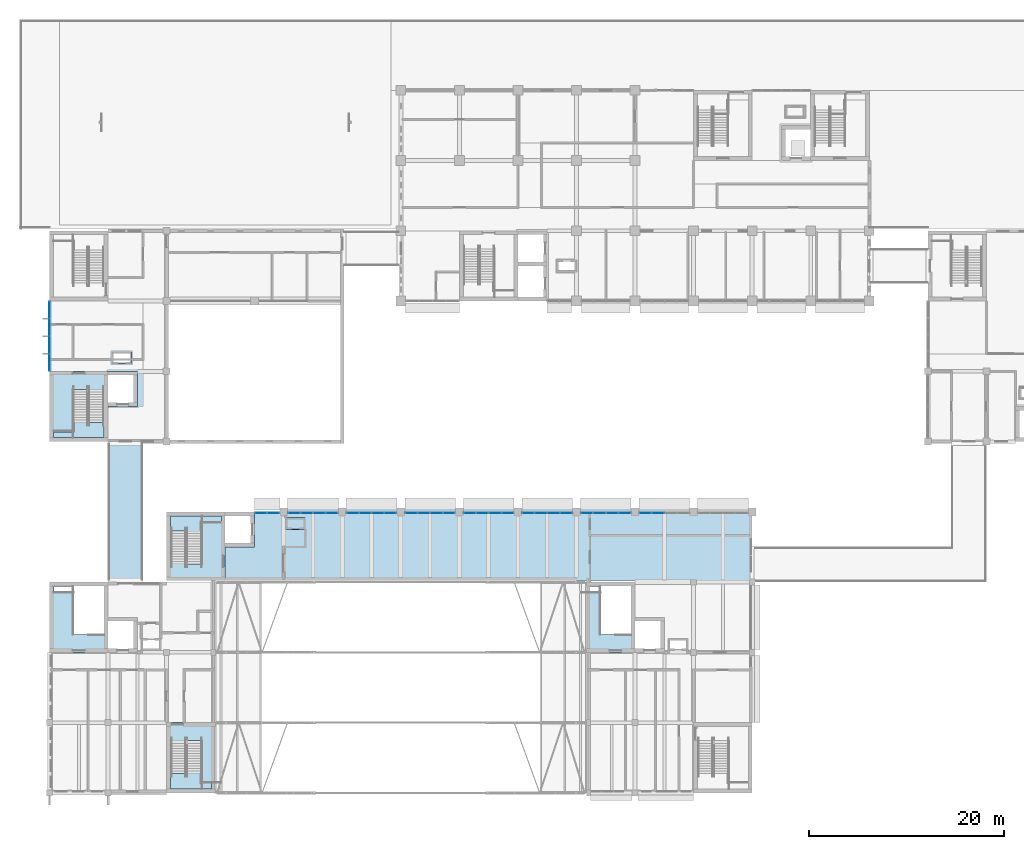
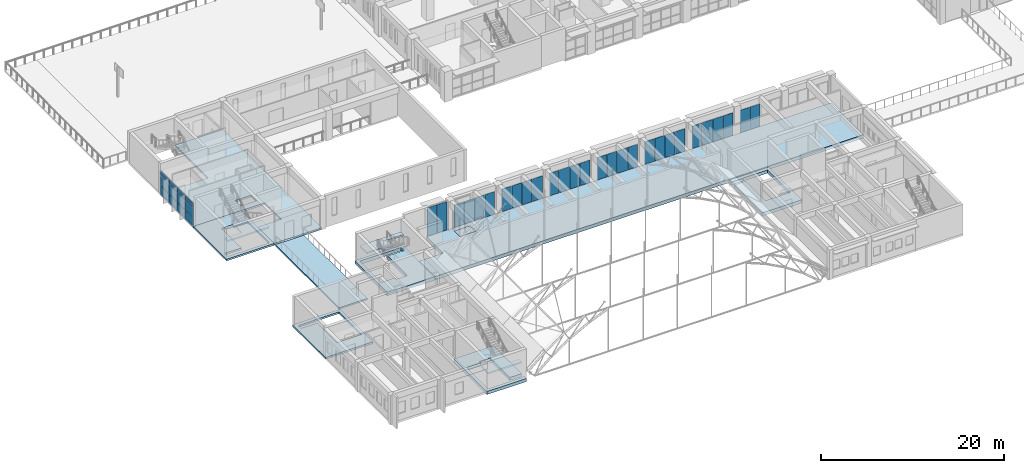
# One storey, part 60 of 101: 40 plates, 12 slabs, 12 elements without a shape of their own.
"""IFC4 building model written with IfcOpenShell, lengths in metres."""

from ifc_helpers import new_model, si_unit, direction, frame, origin, origin_2d, place, context, subcontext, project, spatial, polyline, rectangle, outline, extrude, material, layer, layer_set, type_object, element, aggregate, save


model = new_model("IFC4")

# Units and contexts
model_context = context("Model", 3, precision=1e-05, world=origin(), true_north=direction((0.0, 1.0)))
body_context = subcontext(model_context, "Body", "Model", "MODEL_VIEW")
ifc_project = project(units=[si_unit("LENGTHUNIT", "METRE"), si_unit("AREAUNIT", "SQUARE_METRE"), si_unit("VOLUMEUNIT", "CUBIC_METRE"), si_unit("PLANEANGLEUNIT", "RADIAN"), si_unit("MASSUNIT", "GRAM", prefix="KILO")], contexts=[model_context])

# Site, building, storey
site_placement = place(None, origin())
site = spatial("IfcSite", under=ifc_project, at=site_placement, CompositionType="ELEMENT")
building_placement = place(site_placement, origin())
building = spatial("IfcBuilding", under=site, at=building_placement, Name="Laocheng Heights Fire and Rescue Headquarters", CompositionType="ELEMENT")
storey_placement = place(building_placement, frame((0.0, 0.0, 8.39990234375)))
storey = spatial("IfcBuildingStorey", under=building, at=storey_placement, Name="L02", CompositionType="ELEMENT", Elevation=8.39990234375)

# Curtain wall, plates
ifc_material_1 = material(Name="Dark anodised aluminium unitised curtain wall, low-e double glazing", Category="aluminium")
curtain_wall_type_1 = type_object("IfcCurtainWallType", Name="CW 7200 x 3100 FOYER GLAZING", PredefinedType="NOTDEFINED", material=ifc_material_1)
curtain_wall_1_placement = place(storey_placement, origin())
curtain_wall_1 = element("IfcCurtainWall", 1, at=curtain_wall_1_placement, inside=storey, type_object=curtain_wall_type_1, Name="X3-V FOYER WEST L02", PredefinedType="NOTDEFINED")
ifc_material_2 = material(Name="Laminated safety glass, low-e double glazed unit", Category="glass")
ifc_layer_1 = layer(ifc_material_2, 0.0400390625)
ifc_layer_set_1 = layer_set([ifc_layer_1], Name="Laminated safety glass, low-e double glazed unit")
plate_type_1 = type_object("IfcPlateType", Name="CW LAMINATED SAFETY PANEL 40 V", PredefinedType="CURTAIN_PANEL", material=ifc_layer_set_1)
plate_1_placement = place(storey_placement, frame((0.0, 44.114990234375, 0.050048828125), z_axis=(0.0, 0.0, 1.0), x_axis=(0.0, 1.0, 0.0)))
plate_1 = element("IfcPlate", 2, at=plate_1_placement, type_object=plate_type_1, Name="X3-V panel 1.1", PredefinedType="CURTAIN_PANEL", context=body_context, shape_type="SweptSolid", body=[
    extrude(rectangle(XDim=1.7099609375, YDim=0.0400390625, at=origin_2d()), origin(), (0.0, 0.0, 1.0), 1.02490234375),
])
plate_2_placement = place(storey_placement, frame((0.0, 45.89990234375, 0.050048828125), z_axis=(0.0, 0.0, 1.0), x_axis=(0.0, 1.0, 0.0)))
plate_2 = element("IfcPlate", 3, at=plate_2_placement, type_object=plate_type_1, Name="X3-V panel 2.1", PredefinedType="CURTAIN_PANEL", context=body_context, shape_type="SweptSolid", body=[
    extrude(rectangle(XDim=1.739990234375, YDim=0.0400390625, at=origin_2d()), origin(), (0.0, 0.0, 1.0), 1.02490234375),
])
plate_3_placement = place(storey_placement, frame((0.0, 47.699951171875, 0.050048828125), z_axis=(0.0, 0.0, 1.0), x_axis=(0.0, 1.0, 0.0)))
plate_3 = element("IfcPlate", 4, at=plate_3_placement, type_object=plate_type_1, Name="X3-V panel 3.1", PredefinedType="CURTAIN_PANEL", context=body_context, shape_type="SweptSolid", body=[
    extrude(rectangle(XDim=1.739990234375, YDim=0.0400390625, at=origin_2d()), origin(), (0.0, 0.0, 1.0), 1.02490234375),
])
plate_4_placement = place(storey_placement, frame((0.0, 49.485107421875, 0.050048828125), z_axis=(0.0, 0.0, 1.0), x_axis=(0.0, 1.0, 0.0)))
plate_4 = element("IfcPlate", 5, at=plate_4_placement, type_object=plate_type_1, Name="X3-V panel 4.1", PredefinedType="CURTAIN_PANEL", context=body_context, shape_type="SweptSolid", body=[
    extrude(rectangle(XDim=1.7099609375, YDim=0.0400390625, at=origin_2d()), origin(), (0.0, 0.0, 1.0), 1.02490234375),
])

ifc_material_3 = material(Name="Aluminium unitised curtain wall, low-e double glazing", Category="aluminium")
curtain_wall_type_2 = type_object("IfcCurtainWallType", Name="CW 2600 x 4000 GALLERY UNIT", PredefinedType="NOTDEFINED", material=ifc_material_3)
curtain_wall_2_placement = place(storey_placement, origin())
curtain_wall_2 = element("IfcCurtainWall", 6, at=curtain_wall_2_placement, inside=storey, type_object=curtain_wall_type_2, Name="Gallery north glazing L02", PredefinedType="NOTDEFINED")
ifc_material_4 = material(Name="Aluminium shadow-box panel, insulated and back-painted", Category="aluminium")
ifc_layer_2 = layer(ifc_material_4, 0.06005859375)
ifc_layer_set_2 = layer_set([ifc_layer_2], Name="Aluminium shadow-box panel, insulated and back-painted")
plate_type_2 = type_object("IfcPlateType", Name="CW SHADOW BOX PANEL 60", PredefinedType="CURTAIN_PANEL", material=ifc_layer_set_2)
plate_5_placement = place(storey_placement, frame((21.6650390625, 28.699951171875, 0.10009765625), z_axis=(0.0, 0.0, 1.0), x_axis=(1.0, 0.0, 0.0)))
plate_5 = element("IfcPlate", 7, at=plate_5_placement, type_object=plate_type_2, Name="X3-E panel 1.1", PredefinedType="CURTAIN_PANEL", context=body_context, shape_type="SweptSolid", body=[
    extrude(rectangle(XDim=1.2099609375, YDim=0.06005859375, at=origin_2d()), origin(), (0.0, 0.0, 1.0), 3.800048828125),
])
plate_6_placement = place(storey_placement, frame((22.93505859375, 28.699951171875, 0.10009765625), z_axis=(0.0, 0.0, 1.0), x_axis=(1.0, 0.0, 0.0)))
plate_6 = element("IfcPlate", 8, at=plate_6_placement, type_object=plate_type_2, Name="X3-E panel 2.1", PredefinedType="CURTAIN_PANEL", context=body_context, shape_type="SweptSolid", body=[
    extrude(rectangle(XDim=1.2099609375, YDim=0.06005859375, at=origin_2d()), origin(), (0.0, 0.0, 1.0), 3.800048828125),
])
aggregate(curtain_wall_2, [plate_5, plate_6])

ifc_material_5 = material(Name="Aluminium unitised curtain wall, low-e double glazing", Category="aluminium")
curtain_wall_type_3 = type_object("IfcCurtainWallType", Name="CW 5200 x 3200 GALLERY UNIT", PredefinedType="NOTDEFINED", material=ifc_material_5)
curtain_wall_3_placement = place(storey_placement, origin())
curtain_wall_3 = element("IfcCurtainWall", 9, at=curtain_wall_3_placement, inside=storey, type_object=curtain_wall_type_3, Name="Gallery north glazing L02", PredefinedType="NOTDEFINED")
plate_7_placement = place(storey_placement, frame((25.06494140625, 28.699951171875, 0.10009765625), z_axis=(0.0, 0.0, 1.0), x_axis=(1.0, 0.0, 0.0)))
plate_7 = element("IfcPlate", 10, at=plate_7_placement, type_object=plate_type_2, Name="X4-E panel 1.1", PredefinedType="CURTAIN_PANEL", context=body_context, shape_type="SweptSolid", body=[
    extrude(rectangle(XDim=1.2099609375, YDim=0.06005859375, at=origin_2d()), origin(), (0.0, 0.0, 1.0), 3.0),
])
plate_8_placement = place(storey_placement, frame((26.35009765625, 28.699951171875, 0.10009765625), z_axis=(0.0, 0.0, 1.0), x_axis=(1.0, 0.0, 0.0)))
plate_8 = element("IfcPlate", 11, at=plate_8_placement, type_object=plate_type_2, Name="X4-E panel 2.1", PredefinedType="CURTAIN_PANEL", context=body_context, shape_type="SweptSolid", body=[
    extrude(rectangle(XDim=1.239990234375, YDim=0.06005859375, at=origin_2d()), origin(), (0.0, 0.0, 1.0), 3.0),
])
plate_9_placement = place(storey_placement, frame((27.64990234375, 28.699951171875, 0.10009765625), z_axis=(0.0, 0.0, 1.0), x_axis=(1.0, 0.0, 0.0)))
plate_9 = element("IfcPlate", 12, at=plate_9_placement, type_object=plate_type_2, Name="X4-E panel 3.1", PredefinedType="CURTAIN_PANEL", context=body_context, shape_type="SweptSolid", body=[
    extrude(rectangle(XDim=1.239990234375, YDim=0.06005859375, at=origin_2d()), origin(), (0.0, 0.0, 1.0), 3.0),
])
plate_10_placement = place(storey_placement, frame((28.93505859375, 28.699951171875, 0.10009765625), z_axis=(0.0, 0.0, 1.0), x_axis=(1.0, 0.0, 0.0)))
plate_10 = element("IfcPlate", 13, at=plate_10_placement, type_object=plate_type_2, Name="X4-E panel 4.1", PredefinedType="CURTAIN_PANEL", context=body_context, shape_type="SweptSolid", body=[
    extrude(rectangle(XDim=1.2099609375, YDim=0.06005859375, at=origin_2d()), origin(), (0.0, 0.0, 1.0), 3.0),
])
aggregate(curtain_wall_3, [plate_7, plate_8, plate_9, plate_10])

curtain_wall_4_placement = place(storey_placement, origin())
curtain_wall_4 = element("IfcCurtainWall", 14, at=curtain_wall_4_placement, inside=storey, type_object=curtain_wall_type_3, Name="Gallery north glazing L02", PredefinedType="NOTDEFINED")
plate_11_placement = place(storey_placement, frame((31.06494140625, 28.699951171875, 0.10009765625), z_axis=(0.0, 0.0, 1.0), x_axis=(1.0, 0.0, 0.0)))
plate_11 = element("IfcPlate", 15, at=plate_11_placement, type_object=plate_type_2, Name="X4-E panel 1.1", PredefinedType="CURTAIN_PANEL", context=body_context, shape_type="SweptSolid", body=[
    extrude(rectangle(XDim=1.2099609375, YDim=0.06005859375, at=origin_2d()), origin(), (0.0, 0.0, 1.0), 3.0),
])
plate_12_placement = place(storey_placement, frame((32.35009765625, 28.699951171875, 0.10009765625), z_axis=(0.0, 0.0, 1.0), x_axis=(1.0, 0.0, 0.0)))
plate_12 = element("IfcPlate", 16, at=plate_12_placement, type_object=plate_type_2, Name="X4-E panel 2.1", PredefinedType="CURTAIN_PANEL", context=body_context, shape_type="SweptSolid", body=[
    extrude(rectangle(XDim=1.239990234375, YDim=0.06005859375, at=origin_2d()), origin(), (0.0, 0.0, 1.0), 3.0),
])
plate_13_placement = place(storey_placement, frame((33.64990234375, 28.699951171875, 0.10009765625), z_axis=(0.0, 0.0, 1.0), x_axis=(1.0, 0.0, 0.0)))
plate_13 = element("IfcPlate", 17, at=plate_13_placement, type_object=plate_type_2, Name="X4-E panel 3.1", PredefinedType="CURTAIN_PANEL", context=body_context, shape_type="SweptSolid", body=[
    extrude(rectangle(XDim=1.239990234375, YDim=0.06005859375, at=origin_2d()), origin(), (0.0, 0.0, 1.0), 3.0),
])
plate_14_placement = place(storey_placement, frame((34.93505859375, 28.699951171875, 0.10009765625), z_axis=(0.0, 0.0, 1.0), x_axis=(1.0, 0.0, 0.0)))
plate_14 = element("IfcPlate", 18, at=plate_14_placement, type_object=plate_type_2, Name="X4-E panel 4.1", PredefinedType="CURTAIN_PANEL", context=body_context, shape_type="SweptSolid", body=[
    extrude(rectangle(XDim=1.2099609375, YDim=0.06005859375, at=origin_2d()), origin(), (0.0, 0.0, 1.0), 3.0),
])
aggregate(curtain_wall_4, [plate_11, plate_12, plate_13, plate_14])

curtain_wall_5_placement = place(storey_placement, origin())
curtain_wall_5 = element("IfcCurtainWall", 19, at=curtain_wall_5_placement, inside=storey, type_object=curtain_wall_type_3, Name="Gallery north glazing L02", PredefinedType="NOTDEFINED")
plate_15_placement = place(storey_placement, frame((37.06494140625, 28.699951171875, 0.10009765625), z_axis=(0.0, 0.0, 1.0), x_axis=(1.0, 0.0, 0.0)))
plate_15 = element("IfcPlate", 20, at=plate_15_placement, type_object=plate_type_2, Name="X4-E panel 1.1", PredefinedType="CURTAIN_PANEL", context=body_context, shape_type="SweptSolid", body=[
    extrude(rectangle(XDim=1.2099609375, YDim=0.06005859375, at=origin_2d()), origin(), (0.0, 0.0, 1.0), 3.0),
])
plate_16_placement = place(storey_placement, frame((38.35009765625, 28.699951171875, 0.10009765625), z_axis=(0.0, 0.0, 1.0), x_axis=(1.0, 0.0, 0.0)))
plate_16 = element("IfcPlate", 21, at=plate_16_placement, type_object=plate_type_2, Name="X4-E panel 2.1", PredefinedType="CURTAIN_PANEL", context=body_context, shape_type="SweptSolid", body=[
    extrude(rectangle(XDim=1.239990234375, YDim=0.06005859375, at=origin_2d()), origin(), (0.0, 0.0, 1.0), 3.0),
])
plate_17_placement = place(storey_placement, frame((39.64990234375, 28.699951171875, 0.10009765625), z_axis=(0.0, 0.0, 1.0), x_axis=(1.0, 0.0, 0.0)))
plate_17 = element("IfcPlate", 22, at=plate_17_placement, type_object=plate_type_2, Name="X4-E panel 3.1", PredefinedType="CURTAIN_PANEL", context=body_context, shape_type="SweptSolid", body=[
    extrude(rectangle(XDim=1.239990234375, YDim=0.06005859375, at=origin_2d()), origin(), (0.0, 0.0, 1.0), 3.0),
])
plate_18_placement = place(storey_placement, frame((40.93505859375, 28.699951171875, 0.10009765625), z_axis=(0.0, 0.0, 1.0), x_axis=(1.0, 0.0, 0.0)))
plate_18 = element("IfcPlate", 23, at=plate_18_placement, type_object=plate_type_2, Name="X4-E panel 4.1", PredefinedType="CURTAIN_PANEL", context=body_context, shape_type="SweptSolid", body=[
    extrude(rectangle(XDim=1.2099609375, YDim=0.06005859375, at=origin_2d()), origin(), (0.0, 0.0, 1.0), 3.0),
])
aggregate(curtain_wall_5, [plate_15, plate_16, plate_17, plate_18])

curtain_wall_6_placement = place(storey_placement, origin())
curtain_wall_6 = element("IfcCurtainWall", 24, at=curtain_wall_6_placement, inside=storey, type_object=curtain_wall_type_3, Name="Gallery north glazing L02", PredefinedType="NOTDEFINED")
plate_19_placement = place(storey_placement, frame((43.06494140625, 28.699951171875, 0.10009765625), z_axis=(0.0, 0.0, 1.0), x_axis=(1.0, 0.0, 0.0)))
plate_19 = element("IfcPlate", 25, at=plate_19_placement, type_object=plate_type_2, Name="X4-E panel 1.1", PredefinedType="CURTAIN_PANEL", context=body_context, shape_type="SweptSolid", body=[
    extrude(rectangle(XDim=1.2099609375, YDim=0.06005859375, at=origin_2d()), origin(), (0.0, 0.0, 1.0), 3.0),
])
plate_20_placement = place(storey_placement, frame((44.35009765625, 28.699951171875, 0.10009765625), z_axis=(0.0, 0.0, 1.0), x_axis=(1.0, 0.0, 0.0)))
plate_20 = element("IfcPlate", 26, at=plate_20_placement, type_object=plate_type_2, Name="X4-E panel 2.1", PredefinedType="CURTAIN_PANEL", context=body_context, shape_type="SweptSolid", body=[
    extrude(rectangle(XDim=1.239990234375, YDim=0.06005859375, at=origin_2d()), origin(), (0.0, 0.0, 1.0), 3.0),
])
plate_21_placement = place(storey_placement, frame((45.64990234375, 28.699951171875, 0.10009765625), z_axis=(0.0, 0.0, 1.0), x_axis=(1.0, 0.0, 0.0)))
plate_21 = element("IfcPlate", 27, at=plate_21_placement, type_object=plate_type_2, Name="X4-E panel 3.1", PredefinedType="CURTAIN_PANEL", context=body_context, shape_type="SweptSolid", body=[
    extrude(rectangle(XDim=1.239990234375, YDim=0.06005859375, at=origin_2d()), origin(), (0.0, 0.0, 1.0), 3.0),
])
plate_22_placement = place(storey_placement, frame((46.93505859375, 28.699951171875, 0.10009765625), z_axis=(0.0, 0.0, 1.0), x_axis=(1.0, 0.0, 0.0)))
plate_22 = element("IfcPlate", 28, at=plate_22_placement, type_object=plate_type_2, Name="X4-E panel 4.1", PredefinedType="CURTAIN_PANEL", context=body_context, shape_type="SweptSolid", body=[
    extrude(rectangle(XDim=1.2099609375, YDim=0.06005859375, at=origin_2d()), origin(), (0.0, 0.0, 1.0), 3.0),
])
aggregate(curtain_wall_6, [plate_19, plate_20, plate_21, plate_22])

curtain_wall_7_placement = place(storey_placement, origin())
curtain_wall_7 = element("IfcCurtainWall", 29, at=curtain_wall_7_placement, inside=storey, type_object=curtain_wall_type_3, Name="Gallery north glazing L02", PredefinedType="NOTDEFINED")
plate_23_placement = place(storey_placement, frame((49.06494140625, 28.699951171875, 0.10009765625), z_axis=(0.0, 0.0, 1.0), x_axis=(1.0, 0.0, 0.0)))
plate_23 = element("IfcPlate", 30, at=plate_23_placement, type_object=plate_type_2, Name="X4-E panel 1.1", PredefinedType="CURTAIN_PANEL", context=body_context, shape_type="SweptSolid", body=[
    extrude(rectangle(XDim=1.2099609375, YDim=0.06005859375, at=origin_2d()), origin(), (0.0, 0.0, 1.0), 3.0),
])
plate_24_placement = place(storey_placement, frame((50.35009765625, 28.699951171875, 0.10009765625), z_axis=(0.0, 0.0, 1.0), x_axis=(1.0, 0.0, 0.0)))
plate_24 = element("IfcPlate", 31, at=plate_24_placement, type_object=plate_type_2, Name="X4-E panel 2.1", PredefinedType="CURTAIN_PANEL", context=body_context, shape_type="SweptSolid", body=[
    extrude(rectangle(XDim=1.239990234375, YDim=0.06005859375, at=origin_2d()), origin(), (0.0, 0.0, 1.0), 3.0),
])
plate_25_placement = place(storey_placement, frame((51.64990234375, 28.699951171875, 0.10009765625), z_axis=(0.0, 0.0, 1.0), x_axis=(1.0, 0.0, 0.0)))
plate_25 = element("IfcPlate", 32, at=plate_25_placement, type_object=plate_type_2, Name="X4-E panel 3.1", PredefinedType="CURTAIN_PANEL", context=body_context, shape_type="SweptSolid", body=[
    extrude(rectangle(XDim=1.239990234375, YDim=0.06005859375, at=origin_2d()), origin(), (0.0, 0.0, 1.0), 3.0),
])
plate_26_placement = place(storey_placement, frame((52.93505859375, 28.699951171875, 0.10009765625), z_axis=(0.0, 0.0, 1.0), x_axis=(1.0, 0.0, 0.0)))
plate_26 = element("IfcPlate", 33, at=plate_26_placement, type_object=plate_type_2, Name="X4-E panel 4.1", PredefinedType="CURTAIN_PANEL", context=body_context, shape_type="SweptSolid", body=[
    extrude(rectangle(XDim=1.2099609375, YDim=0.06005859375, at=origin_2d()), origin(), (0.0, 0.0, 1.0), 3.0),
])
aggregate(curtain_wall_7, [plate_23, plate_24, plate_25, plate_26])

curtain_wall_8_placement = place(storey_placement, origin())
curtain_wall_8 = element("IfcCurtainWall", 34, at=curtain_wall_8_placement, inside=storey, type_object=curtain_wall_type_3, Name="Gallery north glazing L02", PredefinedType="NOTDEFINED")
plate_27_placement = place(storey_placement, frame((55.06494140625, 28.699951171875, 0.10009765625), z_axis=(0.0, 0.0, 1.0), x_axis=(1.0, 0.0, 0.0)))
plate_27 = element("IfcPlate", 35, at=plate_27_placement, type_object=plate_type_2, Name="X4-E panel 1.1", PredefinedType="CURTAIN_PANEL", context=body_context, shape_type="SweptSolid", body=[
    extrude(rectangle(XDim=1.2099609375, YDim=0.06005859375, at=origin_2d()), origin(), (0.0, 0.0, 1.0), 3.0),
])
plate_28_placement = place(storey_placement, frame((56.35009765625, 28.699951171875, 0.10009765625), z_axis=(0.0, 0.0, 1.0), x_axis=(1.0, 0.0, 0.0)))
plate_28 = element("IfcPlate", 36, at=plate_28_placement, type_object=plate_type_2, Name="X4-E panel 2.1", PredefinedType="CURTAIN_PANEL", context=body_context, shape_type="SweptSolid", body=[
    extrude(rectangle(XDim=1.239990234375, YDim=0.06005859375, at=origin_2d()), origin(), (0.0, 0.0, 1.0), 3.0),
])
plate_29_placement = place(storey_placement, frame((57.64990234375, 28.699951171875, 0.10009765625), z_axis=(0.0, 0.0, 1.0), x_axis=(1.0, 0.0, 0.0)))
plate_29 = element("IfcPlate", 37, at=plate_29_placement, type_object=plate_type_2, Name="X4-E panel 3.1", PredefinedType="CURTAIN_PANEL", context=body_context, shape_type="SweptSolid", body=[
    extrude(rectangle(XDim=1.239990234375, YDim=0.06005859375, at=origin_2d()), origin(), (0.0, 0.0, 1.0), 3.0),
])
plate_30_placement = place(storey_placement, frame((58.93505859375, 28.699951171875, 0.10009765625), z_axis=(0.0, 0.0, 1.0), x_axis=(1.0, 0.0, 0.0)))
plate_30 = element("IfcPlate", 38, at=plate_30_placement, type_object=plate_type_2, Name="X4-E panel 4.1", PredefinedType="CURTAIN_PANEL", context=body_context, shape_type="SweptSolid", body=[
    extrude(rectangle(XDim=1.2099609375, YDim=0.06005859375, at=origin_2d()), origin(), (0.0, 0.0, 1.0), 3.0),
])
aggregate(curtain_wall_8, [plate_27, plate_28, plate_29, plate_30])

curtain_wall_9_placement = place(storey_placement, origin())
curtain_wall_9 = element("IfcCurtainWall", 39, at=curtain_wall_9_placement, inside=storey, type_object=curtain_wall_type_3, Name="Gallery north glazing L02", PredefinedType="NOTDEFINED")
plate_31_placement = place(storey_placement, frame((61.06494140625, 28.699951171875, 0.10009765625), z_axis=(0.0, 0.0, 1.0), x_axis=(1.0, 0.0, 0.0)))
plate_31 = element("IfcPlate", 40, at=plate_31_placement, type_object=plate_type_2, Name="X4-E panel 1.1", PredefinedType="CURTAIN_PANEL", context=body_context, shape_type="SweptSolid", body=[
    extrude(rectangle(XDim=1.2099609375, YDim=0.06005859375, at=origin_2d()), origin(), (0.0, 0.0, 1.0), 3.0),
])
plate_32_placement = place(storey_placement, frame((62.35009765625, 28.699951171875, 0.10009765625), z_axis=(0.0, 0.0, 1.0), x_axis=(1.0, 0.0, 0.0)))
plate_32 = element("IfcPlate", 41, at=plate_32_placement, type_object=plate_type_2, Name="X4-E panel 2.1", PredefinedType="CURTAIN_PANEL", context=body_context, shape_type="SweptSolid", body=[
    extrude(rectangle(XDim=1.239990234375, YDim=0.06005859375, at=origin_2d()), origin(), (0.0, 0.0, 1.0), 3.0),
])
aggregate(curtain_wall_9, [plate_31, plate_32])

# Plate
ifc_material_6 = material(Name="Low-e double glazed unit, laminated inner pane")
ifc_layer_3 = layer(ifc_material_6, 0.028076171875)
ifc_layer_set_3 = layer_set([ifc_layer_3], Name="Low-e double glazed unit, laminated inner pane")
plate_type_3 = type_object("IfcPlateType", Name="CW VISION PANEL 28 V", PredefinedType="CURTAIN_PANEL", material=ifc_layer_set_3)
plate_33_placement = place(storey_placement, frame((0.0, 44.114990234375, 1.125), z_axis=(0.0, 0.0, 1.0), x_axis=(0.0, 1.0, 0.0)))
plate_33 = element("IfcPlate", 42, at=plate_33_placement, type_object=plate_type_3, Name="X3-V panel 1.2", PredefinedType="CURTAIN_PANEL", context=body_context, shape_type="SweptSolid", body=[
    extrude(rectangle(XDim=1.7099609375, YDim=0.028076171875, at=origin_2d()), origin(), (0.0, 0.0, 1.0), 1.25),
])

plate_34_placement = place(storey_placement, frame((0.0, 44.114990234375, 2.425048828125), z_axis=(0.0, 0.0, 1.0), x_axis=(0.0, 1.0, 0.0)))
plate_34 = element("IfcPlate", 43, at=plate_34_placement, type_object=plate_type_3, Name="X3-V panel 1.3", PredefinedType="CURTAIN_PANEL", context=body_context, shape_type="SweptSolid", body=[
    extrude(rectangle(XDim=1.7099609375, YDim=0.028076171875, at=origin_2d()), origin(), (0.0, 0.0, 1.0), 0.625),
])

plate_35_placement = place(storey_placement, frame((0.0, 45.89990234375, 1.125), z_axis=(0.0, 0.0, 1.0), x_axis=(0.0, 1.0, 0.0)))
plate_35 = element("IfcPlate", 44, at=plate_35_placement, type_object=plate_type_3, Name="X3-V panel 2.2", PredefinedType="CURTAIN_PANEL", context=body_context, shape_type="SweptSolid", body=[
    extrude(rectangle(XDim=1.739990234375, YDim=0.028076171875, at=origin_2d()), origin(), (0.0, 0.0, 1.0), 1.25),
])

plate_36_placement = place(storey_placement, frame((0.0, 45.89990234375, 2.425048828125), z_axis=(0.0, 0.0, 1.0), x_axis=(0.0, 1.0, 0.0)))
plate_36 = element("IfcPlate", 45, at=plate_36_placement, type_object=plate_type_3, Name="X3-V panel 2.3", PredefinedType="CURTAIN_PANEL", context=body_context, shape_type="SweptSolid", body=[
    extrude(rectangle(XDim=1.739990234375, YDim=0.028076171875, at=origin_2d()), origin(), (0.0, 0.0, 1.0), 0.625),
])

plate_37_placement = place(storey_placement, frame((0.0, 47.699951171875, 1.125), z_axis=(0.0, 0.0, 1.0), x_axis=(0.0, 1.0, 0.0)))
plate_37 = element("IfcPlate", 46, at=plate_37_placement, type_object=plate_type_3, Name="X3-V panel 3.2", PredefinedType="CURTAIN_PANEL", context=body_context, shape_type="SweptSolid", body=[
    extrude(rectangle(XDim=1.739990234375, YDim=0.028076171875, at=origin_2d()), origin(), (0.0, 0.0, 1.0), 1.25),
])

plate_38_placement = place(storey_placement, frame((0.0, 47.699951171875, 2.425048828125), z_axis=(0.0, 0.0, 1.0), x_axis=(0.0, 1.0, 0.0)))
plate_38 = element("IfcPlate", 47, at=plate_38_placement, type_object=plate_type_3, Name="X3-V panel 3.3", PredefinedType="CURTAIN_PANEL", context=body_context, shape_type="SweptSolid", body=[
    extrude(rectangle(XDim=1.739990234375, YDim=0.028076171875, at=origin_2d()), origin(), (0.0, 0.0, 1.0), 0.625),
])

plate_39_placement = place(storey_placement, frame((0.0, 49.485107421875, 1.125), z_axis=(0.0, 0.0, 1.0), x_axis=(0.0, 1.0, 0.0)))
plate_39 = element("IfcPlate", 48, at=plate_39_placement, type_object=plate_type_3, Name="X3-V panel 4.2", PredefinedType="CURTAIN_PANEL", context=body_context, shape_type="SweptSolid", body=[
    extrude(rectangle(XDim=1.7099609375, YDim=0.028076171875, at=origin_2d()), origin(), (0.0, 0.0, 1.0), 1.25),
])

plate_40_placement = place(storey_placement, frame((0.0, 49.485107421875, 2.425048828125), z_axis=(0.0, 0.0, 1.0), x_axis=(0.0, 1.0, 0.0)))
plate_40 = element("IfcPlate", 49, at=plate_40_placement, type_object=plate_type_3, Name="X3-V panel 4.3", PredefinedType="CURTAIN_PANEL", context=body_context, shape_type="SweptSolid", body=[
    extrude(rectangle(XDim=1.7099609375, YDim=0.028076171875, at=origin_2d()), origin(), (0.0, 0.0, 1.0), 0.625),
])

aggregate(curtain_wall_1, [plate_1, plate_33, plate_34, plate_2, plate_35, plate_36, plate_3, plate_37, plate_38, plate_4, plate_39, plate_40])

# Slabs
ifc_material_7 = material(Name="Concrete C40", Category="concrete")
ifc_layer_4 = layer(ifc_material_7, 0.199951171875)
ifc_layer_set_4 = layer_set([ifc_layer_4], Name="Concrete C40")
slab_type_1 = type_object("IfcSlabType", Name="RC BRIDGE DECK 200", PredefinedType="FLOOR", material=ifc_layer_set_4)
slab_1_placement = place(storey_placement, frame((0.0, 0.0, -0.199951171875)))
element("IfcSlab", 50, at=slab_1_placement, inside=storey, type_object=slab_type_1, Name="Bridge B1 deck", PredefinedType="FLOOR", context=body_context, shape_type="SweptSolid", body=[
    extrude(outline(polyline([(9.60009765625, 21.85009765625), (9.60009765625, 35.75), (6.0, 35.75), (6.0, 21.85009765625), (9.60009765625, 21.85009765625)])), origin(), (0.0, 0.0, 1.0), 0.199951171875),
])
ifc_material_8 = material(Name="Concrete C40", Category="concrete")
ifc_layer_5 = layer(ifc_material_8, 0.25)
ifc_layer_set_5 = layer_set([ifc_layer_5], Name="Concrete C40")
slab_type_2 = type_object("IfcSlabType", Name="RC FLOOR SLAB 250 FOYER", PredefinedType="FLOOR", material=ifc_layer_set_5)
slab_2_placement = place(storey_placement, frame((0.0, 0.0, -0.25)))
element("IfcSlab", 51, at=slab_2_placement, inside=storey, type_object=slab_type_2, Name="Foyer floor L02", PredefinedType="FLOOR", context=body_context, shape_type="SweptSolid", body=[
    extrude(outline(polyline([(12.0, 57.60009765625), (6.0, 57.60009765625), (6.0, 50.39990234375), (0.0, 50.39990234375), (0.0, 43.199951171875), (9.0, 43.199951171875), (9.0, 39.60009765625), (6.0, 39.60009765625), (6.0, 36.0), (12.0, 36.0), (12.0, 57.60009765625)]), holes=[polyline([(8.39990234375, 44.0), (6.39990234375, 44.0), (6.39990234375, 45.199951171875), (8.39990234375, 45.199951171875), (8.39990234375, 44.0)])]), origin(), (0.0, 0.0, 1.0), 0.25),
])
ifc_material_9 = material(Name="Concrete C50", Category="concrete")
ifc_layer_6 = layer(ifc_material_9, 0.449951171875)
ifc_layer_set_6 = layer_set([ifc_layer_6], Name="Concrete C50")
slab_type_3 = type_object("IfcSlabType", Name="RC TRANSFER SLAB 450", PredefinedType="FLOOR", material=ifc_layer_set_6)
slab_3_placement = place(storey_placement, frame((0.0, 0.0, -0.449951171875)))
element("IfcSlab", 52, at=slab_3_placement, inside=storey, type_object=slab_type_3, Name="Transfer slab", PredefinedType="FLOOR", context=body_context, shape_type="SweptSolid", body=[
    extrude(outline(polyline([(72.0, 28.800048828125), (21.0, 28.800048828125), (21.0, 25.199951171875), (18.0, 25.199951171875), (18.0, 21.75), (72.0, 21.75), (72.0, 28.800048828125)]), holes=[polyline([(26.199951171875, 28.199951171875), (26.199951171875, 27.0), (24.199951171875, 27.0), (24.199951171875, 28.199951171875), (26.199951171875, 28.199951171875)])]), origin(), (0.0, 0.0, 1.0), 0.449951171875),
])
ifc_material_10 = material(Name="Concrete C30", Category="concrete")
ifc_layer_7 = layer(ifc_material_10, 0.449951171875)
ifc_layer_set_7 = layer_set([ifc_layer_7], Name="Concrete C30")
slab_type_4 = type_object("IfcSlabType", Name="RISER FLOOR SLAB 450", PredefinedType="FLOOR", material=ifc_layer_set_7)
slab_4_placement = place(storey_placement, frame((0.0, 0.0, -0.449951171875)))
element("IfcSlab", 53, at=slab_4_placement, inside=storey, type_object=slab_type_4, Name="Riser floor slab RG1", PredefinedType="FLOOR", context=body_context, shape_type="SweptSolid", body=[
    extrude(outline(polyline([(26.199951171875, 27.0), (26.199951171875, 28.199951171875), (24.199951171875, 28.199951171875), (24.199951171875, 27.0), (26.199951171875, 27.0)])), origin(), (0.0, 0.0, 1.0), 0.449951171875),
])
ifc_material_11 = material(Name="Concrete C40", Category="concrete")
ifc_layer_8 = layer(ifc_material_11, 0.25)
ifc_layer_set_8 = layer_set([ifc_layer_8], Name="Concrete C40")
slab_type_5 = type_object("IfcSlabType", Name="STAIR FLOOR LANDING 250", PredefinedType="LANDING", material=ifc_layer_set_8)
slab_5_placement = place(storey_placement, frame((0.0, 0.0, -0.25)))
element("IfcSlab", 54, at=slab_5_placement, inside=storey, type_object=slab_type_5, Name="Stair W1 floor landing L02", PredefinedType="LANDING", context=body_context, shape_type="SweptSolid", body=[
    extrude(outline(polyline([(0.0, 21.60009765625), (6.0, 21.60009765625), (6.0, 14.39990234375), (0.0, 14.39990234375), (0.0, 21.60009765625)]), holes=[polyline([(3.875, 16.25), (5.60009765625, 16.25), (5.60009765625, 21.199951171875), (3.875, 21.199951171875), (2.47509765625, 21.199951171875), (2.47509765625, 21.14990234375), (0.449951171875, 21.14990234375), (0.449951171875, 20.550048828125), (2.47509765625, 20.550048828125), (2.47509765625, 19.329833984375), (2.47509765625, 16.2529296875), (3.875, 16.2529296875), (3.875, 16.25)])]), origin(), (0.0, 0.0, 1.0), 0.25),
])

# Stair, slab
ifc_material_12 = material(Name="Concrete C40", Category="concrete")
stair_type = type_object("IfcStairType", Name="RC STAIR 1400 TWO FLIGHTS 28 RISERS OF 150 GOING 260", PredefinedType="HALF_TURN_STAIR", material=ifc_material_12)
stair_1_placement = place(storey_placement, origin())
stair_1 = element("IfcStair", 55, at=stair_1_placement, inside=storey, type_object=stair_type, Name="Stair P1 (L02 to L03)", PredefinedType="HALF_TURN_STAIR")
slab_6_placement = place(storey_placement, frame((0.0, 0.0, -0.25)))
slab_6 = element("IfcSlab", 56, at=slab_6_placement, type_object=slab_type_5, Name="Stair P1 floor landing L02", PredefinedType="LANDING", context=body_context, shape_type="SweptSolid", body=[
    extrude(outline(polyline([(0.0, 43.199951171875), (6.0, 43.199951171875), (6.0, 36.0), (0.0, 36.0), (0.0, 43.199951171875)]), holes=[polyline([(3.875, 41.0498046875), (3.875, 41.346923828125), (2.47509765625, 41.346923828125), (2.47509765625, 38.270263671875), (2.47509765625, 37.050048828125), (0.449951171875, 37.050048828125), (0.449951171875, 37.0), (0.39990234375, 37.0), (0.39990234375, 36.39990234375), (2.47509765625, 36.39990234375), (3.875, 36.39990234375), (5.60009765625, 36.39990234375), (5.60009765625, 37.972900390625), (5.60009765625, 41.0498046875), (3.875, 41.0498046875)])]), origin(), (0.0, 0.0, 1.0), 0.25),
])

stair_2_placement = place(storey_placement, origin())
stair_2 = element("IfcStair", 57, at=stair_2_placement, inside=storey, type_object=stair_type, Name="Stair W2 (L02 to L03)", PredefinedType="HALF_TURN_STAIR")
ifc_material_13 = material(Name="Concrete C40", Category="concrete")
ifc_layer_9 = layer(ifc_material_13, 0.419921875)
ifc_layer_set_9 = layer_set([ifc_layer_9], Name="Concrete C40")
slab_type_6 = type_object("IfcSlabType", Name="STAIR FLOOR LANDING 420", PredefinedType="LANDING", material=ifc_layer_set_9)
slab_7_placement = place(storey_placement, frame((0.0, 0.0, -0.419921875)))
slab_7 = element("IfcSlab", 58, at=slab_7_placement, type_object=slab_type_6, Name="Stair W2 floor landing L02", PredefinedType="LANDING", context=body_context, shape_type="SweptSolid", body=[
    extrude(outline(polyline([(12.0, 7.199951171875), (17.0, 7.199951171875), (17.0, 1.050048828125), (15.52490234375, 1.050048828125), (15.52490234375, 2.270263671875), (15.52490234375, 5.346923828125), (14.125, 5.346923828125), (14.125, 5.0498046875), (12.39990234375, 5.0498046875), (12.39990234375, 1.972900390625), (12.39990234375, 0.39990234375), (14.125, 0.39990234375), (15.52490234375, 0.39990234375), (16.60009765625, 0.39990234375), (16.60009765625, 0.449951171875), (17.0, 0.449951171875), (17.0, 0.0), (12.0, 0.0), (12.0, 7.199951171875)])), origin(), (0.0, 0.0, 1.0), 0.419921875),
])

# Slab
slab_8_placement = place(storey_placement, frame((0.0, 0.0, -0.419921875)))
element("IfcSlab", 59, at=slab_8_placement, inside=storey, type_object=slab_type_6, Name="Stair E1 floor landing L02", PredefinedType="LANDING", context=body_context, shape_type="SweptSolid", body=[
    extrude(outline(polyline([(55.0, 20.550048828125), (56.47509765625, 20.550048828125), (56.47509765625, 19.329833984375), (56.47509765625, 16.2529296875), (57.875, 16.2529296875), (57.875, 16.25), (59.60009765625, 16.25), (59.60009765625, 21.199951171875), (57.875, 21.199951171875), (56.47509765625, 21.199951171875), (56.47509765625, 21.14990234375), (55.0, 21.14990234375), (55.0, 21.60009765625), (60.0, 21.60009765625), (60.0, 14.39990234375), (55.0, 14.39990234375), (55.0, 20.550048828125)])), origin(), (0.0, 0.0, 1.0), 0.419921875),
])

# Stair, slab
stair_3_placement = place(storey_placement, origin())
stair_3 = element("IfcStair", 60, at=stair_3_placement, inside=storey, type_object=stair_type, Name="Stair G1 (L02 to L03)", PredefinedType="HALF_TURN_STAIR")
ifc_material_14 = material(Name="Concrete C40", Category="concrete")
ifc_layer_10 = layer(ifc_material_14, 0.449951171875)
ifc_layer_set_10 = layer_set([ifc_layer_10], Name="Concrete C40")
slab_type_7 = type_object("IfcSlabType", Name="STAIR FLOOR LANDING 450", PredefinedType="LANDING", material=ifc_layer_set_10)
slab_9_placement = place(storey_placement, frame((0.0, 0.0, -0.449951171875)))
slab_9 = element("IfcSlab", 61, at=slab_9_placement, type_object=slab_type_7, Name="Stair G1 floor landing L02", PredefinedType="LANDING", context=body_context, shape_type="SweptSolid", body=[
    extrude(outline(polyline([(12.0, 28.800048828125), (18.0, 28.800048828125), (18.0, 21.75), (12.0, 21.75), (12.0, 28.800048828125)]), holes=[polyline([(14.125, 23.750244140625), (14.125, 23.452880859375), (15.52490234375, 23.452880859375), (15.52490234375, 26.52978515625), (15.52490234375, 27.75), (17.550048828125, 27.75), (17.550048828125, 27.800048828125), (17.60009765625, 27.800048828125), (17.60009765625, 28.39990234375), (15.52490234375, 28.39990234375), (14.125, 28.39990234375), (12.39990234375, 28.39990234375), (12.39990234375, 26.826904296875), (12.39990234375, 23.750244140625), (14.125, 23.750244140625)])]), origin(), (0.0, 0.0, 1.0), 0.449951171875),
])

# Slab
ifc_material_15 = material(Name="Concrete C40", Category="concrete")
ifc_layer_11 = layer(ifc_material_15, 0.201904296875)
ifc_layer_set_11 = layer_set([ifc_layer_11], Name="Concrete C40")
slab_type_8 = type_object("IfcSlabType", Name="STAIR HALF LANDING 202", PredefinedType="LANDING", material=ifc_layer_set_11)
slab_10_placement = place(storey_placement, frame((0.0, 0.0, 1.900146484375)))
slab_10 = element("IfcSlab", 62, at=slab_10_placement, type_object=slab_type_8, Name="W2-L02 landing 1", PredefinedType="LANDING", context=body_context, shape_type="SweptSolid", body=[
    extrude(outline(polyline([(16.60009765625, 1.0), (16.60009765625, 0.39990234375), (15.52490234375, 0.39990234375), (14.125, 0.39990234375), (12.39990234375, 0.39990234375), (12.39990234375, 1.972900390625), (14.125, 1.972900390625), (14.125, 2.270263671875), (15.52490234375, 2.270263671875), (15.52490234375, 1.0), (16.60009765625, 1.0)])), origin(), (0.0, 0.0, 1.0), 0.201904296875),
])

aggregate(stair_2, [slab_10, slab_7])

slab_11_placement = place(storey_placement, frame((0.0, 0.0, 1.900146484375)))
slab_11 = element("IfcSlab", 63, at=slab_11_placement, type_object=slab_type_8, Name="G1-L02 landing 1", PredefinedType="LANDING", context=body_context, shape_type="SweptSolid", body=[
    extrude(outline(polyline([(17.60009765625, 27.800048828125), (17.60009765625, 28.39990234375), (15.52490234375, 28.39990234375), (14.125, 28.39990234375), (12.39990234375, 28.39990234375), (12.39990234375, 26.826904296875), (14.125, 26.826904296875), (14.125, 26.52978515625), (15.52490234375, 26.52978515625), (15.52490234375, 27.800048828125), (17.60009765625, 27.800048828125)])), origin(), (0.0, 0.0, 1.0), 0.201904296875),
])

aggregate(stair_3, [slab_11, slab_9])

slab_12_placement = place(storey_placement, frame((0.0, 0.0, 1.900146484375)))
slab_12 = element("IfcSlab", 64, at=slab_12_placement, type_object=slab_type_8, Name="P1-L02 landing 1", PredefinedType="LANDING", context=body_context, shape_type="SweptSolid", body=[
    extrude(outline(polyline([(0.39990234375, 37.0), (0.39990234375, 36.39990234375), (2.47509765625, 36.39990234375), (3.875, 36.39990234375), (5.60009765625, 36.39990234375), (5.60009765625, 37.972900390625), (3.875, 37.972900390625), (3.875, 38.270263671875), (2.47509765625, 38.270263671875), (2.47509765625, 37.0), (0.39990234375, 37.0)])), origin(), (0.0, 0.0, 1.0), 0.201904296875),
])

aggregate(stair_1, [slab_12, slab_6])

save(model, "model.ifc")
